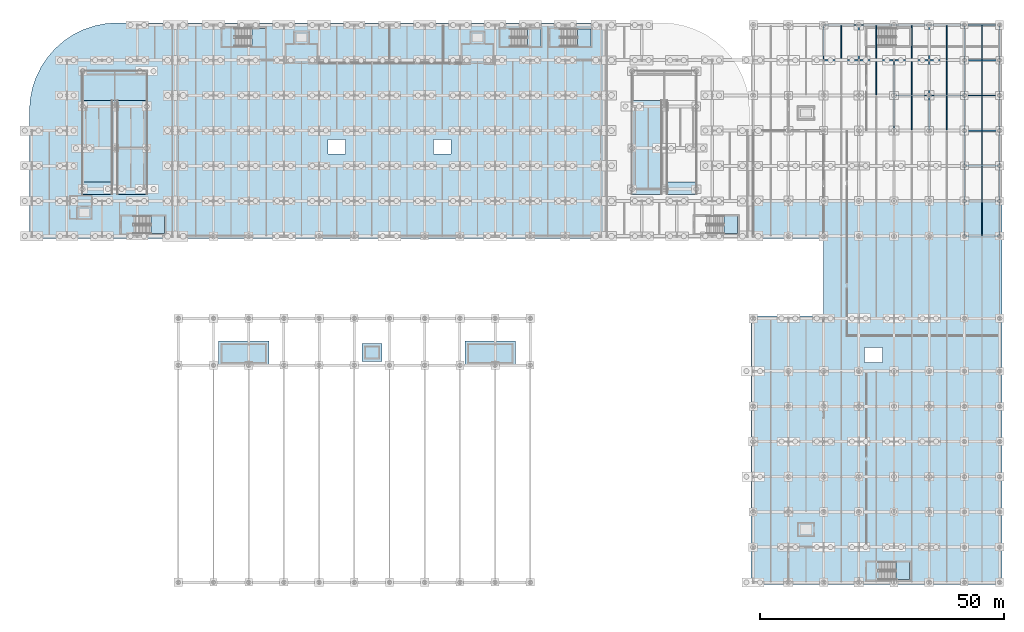
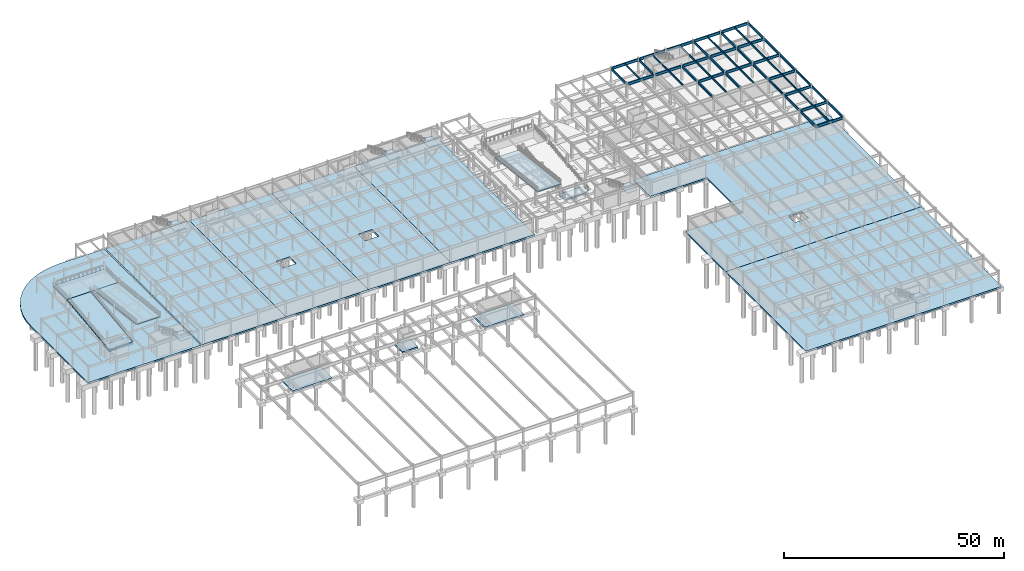
# One storey, part 36 of 54: 51 beams, 22 slabs, 6 elements without a shape of their own.
"""IFC4 building model written with IfcOpenShell, lengths in metres."""

from ifc_helpers import new_model, si_unit, direction, frame, origin, origin_2d, place, context, subcontext, project, spatial, polyline, i_section, outline, extrude, material, layer, layer_set, material_profile, profile_set, type_object, element, aggregate, save


model = new_model("IFC4")

# Units and contexts
model_context = context("Model", 3, precision=1e-05, world=origin(), true_north=direction((0.0, 1.0)))
body_context = subcontext(model_context, "Body", "Model", "MODEL_VIEW")
ifc_project = project(units=[si_unit("LENGTHUNIT", "METRE"), si_unit("AREAUNIT", "SQUARE_METRE"), si_unit("VOLUMEUNIT", "CUBIC_METRE"), si_unit("PLANEANGLEUNIT", "RADIAN"), si_unit("MASSUNIT", "GRAM", prefix="KILO")], contexts=[model_context])

# Site, building, storey
site_placement = place(None, origin())
site = spatial("IfcSite", under=ifc_project, at=site_placement, CompositionType="ELEMENT")
building_placement = place(site_placement, origin())
building = spatial("IfcBuilding", under=site, at=building_placement, Name="Vaelcorin Mobility Hub", CompositionType="ELEMENT")
storey_placement = place(building_placement, frame((0.0, 0.0, -4.5)))
storey = spatial("IfcBuildingStorey", under=building, at=storey_placement, Name="B1", CompositionType="ELEMENT", Elevation=-4.5)

# Beams
ifc_material_1 = material(Name="Steel ASTM A992 Grade 50", Category="steel")
ifc_material_profile_1 = material_profile(ifc_material_1, i_section(OverallWidth=0.166015625, OverallDepth=0.528076171875, WebThickness=0.009765625, FlangeThickness=0.013671875, FilletRadius=0.013916015625, at=origin_2d()), Name="W21X50")
ifc_profile_set_1 = profile_set([ifc_material_profile_1], Name="Steel ASTM A992 Grade 50")
beam_type_1 = type_object("IfcBeamType", Name="BM-W21X50", PredefinedType="JOIST", material=ifc_profile_set_1)
for number, where, z_axis, x_axis, name in (
    (1, (171.60009765625, 112.931884765625, 3.916015625), (0.0, 1.0, 0.0), (-1.0, 0.0, 0.0), "B1 Beam V5-B1-J-03-14-1"),
    (2, (178.800048828125, 105.73193359375, 3.916015625), (0.0, 1.0, 0.0), (-1.0, 0.0, 0.0), "B1 Beam V5-B1-J-04-13-1"),
    (3, (178.800048828125, 112.931884765625, 3.916015625), (0.0, 1.0, 0.0), (-1.0, 0.0, 0.0), "B1 Beam V5-B1-J-04-14-1"),
    (4, (186.0, 98.531982421875, 3.916015625), (0.0, 1.0, 0.0), (-1.0, 0.0, 0.0), "B1 Beam V5-B1-J-05-12-1"),
    (5, (186.0, 105.73193359375, 3.916015625), (0.0, 1.0, 0.0), (-1.0, 0.0, 0.0), "B1 Beam V5-B1-J-05-13-1"),
    (6, (186.0, 112.931884765625, 3.916015625), (0.0, 1.0, 0.0), (-1.0, 0.0, 0.0), "B1 Beam V5-B1-J-05-14-1"),
    (7, (193.199951171875, 98.531982421875, 3.916015625), (0.0, 1.0, 0.0), (-1.0, 0.0, 0.0), "B1 Beam V5-B1-J-06-12-1"),
    (8, (193.199951171875, 105.73193359375, 3.916015625), (0.0, 1.0, 0.0), (-1.0, 0.0, 0.0), "B1 Beam V5-B1-J-06-13-1"),
    (9, (193.199951171875, 112.931884765625, 3.916015625), (0.0, 1.0, 0.0), (-1.0, 0.0, 0.0), "B1 Beam V5-B1-J-06-14-1"),
    (10, (200.39990234375, 76.931884765625, 3.916015625), (0.0, 1.0, 0.0), (-1.0, 0.0, 0.0), "B1 Beam V5-B1-J-07-09-1"),
    (11, (200.39990234375, 84.132080078125, 3.916015625), (0.0, 1.0, 0.0), (-1.0, 0.0, 0.0), "B1 Beam V5-B1-J-07-10-1"),
    (12, (200.39990234375, 91.33203125, 3.916015625), (0.0, 1.0, 0.0), (-1.0, 0.0, 0.0), "B1 Beam V5-B1-J-07-11-1"),
    (13, (200.39990234375, 98.531982421875, 3.916015625), (0.0, 1.0, 0.0), (-1.0, 0.0, 0.0), "B1 Beam V5-B1-J-07-12-1"),
    (14, (200.39990234375, 105.73193359375, 3.916015625), (0.0, 1.0, 0.0), (-1.0, 0.0, 0.0), "B1 Beam V5-B1-J-07-13-1"),
    (15, (200.39990234375, 112.931884765625, 3.916015625), (0.0, 1.0, 0.0), (-1.0, 0.0, 0.0), "B1 Beam V5-B1-J-07-14-1"),
):
    element("IfcBeam", number, at=place(storey_placement, frame(where, z_axis=z_axis, x_axis=x_axis)), inside=storey, type_object=beam_type_1, Name=name, PredefinedType="JOIST", context=body_context, shape_type="SweptSolid", body=[
        extrude(i_section(OverallWidth=0.166015625, OverallDepth=0.528076171875, WebThickness=0.009765625, FlangeThickness=0.013671875, FilletRadius=0.013916015625, at=origin_2d()), origin(), (0.0, 0.0, 1.0), 6.93603515625),
    ])
ifc_material_profile_2 = material_profile(ifc_material_1, i_section(OverallWidth=0.25390625, OverallDepth=0.68310546875, WebThickness=0.012451171875, FlangeThickness=0.018798828125, FilletRadius=0.01611328125, at=origin_2d()), Name="W27X94")
ifc_profile_set_2 = profile_set([ifc_material_profile_2], Name="Steel ASTM A992 Grade 50")
beam_type_2 = type_object("IfcBeamType", Name="BM-W27X94", PredefinedType="BEAM", material=ifc_profile_set_2)
for number, where, z_axis, x_axis, name in (
    (16, (168.0, 112.9951171875, 3.837890625), (0.0, 1.0, 0.0), (-1.0, 0.0, 0.0), "B1 Beam V5-B1-GY-03-14"),
    (17, (175.199951171875, 112.9951171875, 3.837890625), (0.0, 1.0, 0.0), (-1.0, 0.0, 0.0), "B1 Beam V5-B1-GY-04-14"),
):
    element("IfcBeam", number, at=place(storey_placement, frame(where, z_axis=z_axis, x_axis=x_axis)), inside=storey, type_object=beam_type_2, Name=name, PredefinedType="BEAM", context=body_context, shape_type="SweptSolid", body=[
        extrude(i_section(OverallWidth=0.25390625, OverallDepth=0.68310546875, WebThickness=0.012451171875, FlangeThickness=0.018798828125, FilletRadius=0.01611328125, at=origin_2d()), origin(), (0.0, 0.0, 1.0), 6.809814453125),
    ])
for number, where, z_axis, x_axis, name in (
    (18, (182.39990234375, 98.594970703125, 3.837890625), (0.0, 1.0, 0.0), (-1.0, 0.0, 0.0), "B1 Beam V5-B1-GY-05-12"),
    (19, (182.39990234375, 105.794921875, 3.837890625), (0.0, 1.0, 0.0), (-1.0, 0.0, 0.0), "B1 Beam V5-B1-GY-05-13"),
    (20, (189.60009765625, 98.594970703125, 3.837890625), (0.0, 1.0, 0.0), (-1.0, 0.0, 0.0), "B1 Beam V5-B1-GY-06-12"),
    (21, (189.60009765625, 105.794921875, 3.837890625), (0.0, 1.0, 0.0), (-1.0, 0.0, 0.0), "B1 Beam V5-B1-GY-06-13"),
):
    element("IfcBeam", number, at=place(storey_placement, frame(where, z_axis=z_axis, x_axis=x_axis)), inside=storey, type_object=beam_type_2, Name=name, PredefinedType="BEAM", context=body_context, shape_type="SweptSolid", body=[
        extrude(i_section(OverallWidth=0.25390625, OverallDepth=0.68310546875, WebThickness=0.012451171875, FlangeThickness=0.018798828125, FilletRadius=0.01611328125, at=origin_2d()), origin(), (0.0, 0.0, 1.0), 6.81005859375),
    ])
for number, where, z_axis, x_axis, name in (
    (22, (189.60009765625, 112.9951171875, 3.837890625), (0.0, 1.0, 0.0), (-1.0, 0.0, 0.0), "B1 Beam V5-B1-GY-06-14"),
    (23, (196.800048828125, 76.9951171875, 3.837890625), (0.0, 1.0, 0.0), (-1.0, 0.0, 0.0), "B1 Beam V5-B1-GY-07-09"),
    (24, (196.800048828125, 84.195068359375, 3.837890625), (0.0, 1.0, 0.0), (-1.0, 0.0, 0.0), "B1 Beam V5-B1-GY-07-10"),
):
    element("IfcBeam", number, at=place(storey_placement, frame(where, z_axis=z_axis, x_axis=x_axis)), inside=storey, type_object=beam_type_2, Name=name, PredefinedType="BEAM", context=body_context, shape_type="SweptSolid", body=[
        extrude(i_section(OverallWidth=0.25390625, OverallDepth=0.68310546875, WebThickness=0.012451171875, FlangeThickness=0.018798828125, FilletRadius=0.01611328125, at=origin_2d()), origin(), (0.0, 0.0, 1.0), 6.809814453125),
    ])
for number, where, z_axis, x_axis, name in (
    (25, (196.800048828125, 91.39501953125, 3.837890625), (0.0, 1.0, 0.0), (-1.0, 0.0, 0.0), "B1 Beam V5-B1-GY-07-11"),
    (26, (196.800048828125, 98.594970703125, 3.837890625), (0.0, 1.0, 0.0), (-1.0, 0.0, 0.0), "B1 Beam V5-B1-GY-07-12"),
    (27, (196.800048828125, 105.794921875, 3.837890625), (0.0, 1.0, 0.0), (-1.0, 0.0, 0.0), "B1 Beam V5-B1-GY-07-13"),
):
    element("IfcBeam", number, at=place(storey_placement, frame(where, z_axis=z_axis, x_axis=x_axis)), inside=storey, type_object=beam_type_2, Name=name, PredefinedType="BEAM", context=body_context, shape_type="SweptSolid", body=[
        extrude(i_section(OverallWidth=0.25390625, OverallDepth=0.68310546875, WebThickness=0.012451171875, FlangeThickness=0.018798828125, FilletRadius=0.01611328125, at=origin_2d()), origin(), (0.0, 0.0, 1.0), 6.81005859375),
    ])
for number, where, z_axis, x_axis, name in (
    (28, (196.800048828125, 112.9951171875, 3.837890625), (0.0, 1.0, 0.0), (-1.0, 0.0, 0.0), "B1 Beam V5-B1-GY-07-14"),
    (29, (204.0, 76.9951171875, 3.837890625), (0.0, 1.0, 0.0), (-1.0, 0.0, 0.0), "B1 Beam V5-B1-GY-08-09"),
    (30, (204.0, 84.195068359375, 3.837890625), (0.0, 1.0, 0.0), (-1.0, 0.0, 0.0), "B1 Beam V5-B1-GY-08-10"),
):
    element("IfcBeam", number, at=place(storey_placement, frame(where, z_axis=z_axis, x_axis=x_axis)), inside=storey, type_object=beam_type_2, Name=name, PredefinedType="BEAM", context=body_context, shape_type="SweptSolid", body=[
        extrude(i_section(OverallWidth=0.25390625, OverallDepth=0.68310546875, WebThickness=0.012451171875, FlangeThickness=0.018798828125, FilletRadius=0.01611328125, at=origin_2d()), origin(), (0.0, 0.0, 1.0), 6.809814453125),
    ])
for number, where, z_axis, x_axis, name in (
    (31, (204.0, 91.39501953125, 3.837890625), (0.0, 1.0, 0.0), (-1.0, 0.0, 0.0), "B1 Beam V5-B1-GY-08-11"),
    (32, (204.0, 98.594970703125, 3.837890625), (0.0, 1.0, 0.0), (-1.0, 0.0, 0.0), "B1 Beam V5-B1-GY-08-12"),
    (33, (204.0, 105.794921875, 3.837890625), (0.0, 1.0, 0.0), (-1.0, 0.0, 0.0), "B1 Beam V5-B1-GY-08-13"),
):
    element("IfcBeam", number, at=place(storey_placement, frame(where, z_axis=z_axis, x_axis=x_axis)), inside=storey, type_object=beam_type_2, Name=name, PredefinedType="BEAM", context=body_context, shape_type="SweptSolid", body=[
        extrude(i_section(OverallWidth=0.25390625, OverallDepth=0.68310546875, WebThickness=0.012451171875, FlangeThickness=0.018798828125, FilletRadius=0.01611328125, at=origin_2d()), origin(), (0.0, 0.0, 1.0), 6.81005859375),
    ])
beam_1_placement = place(storey_placement, frame((204.0, 112.9951171875, 3.837890625), z_axis=(0.0, 1.0, 0.0), x_axis=(-1.0, 0.0, 0.0)))
element("IfcBeam", 34, at=beam_1_placement, inside=storey, type_object=beam_type_2, Name="B1 Beam V5-B1-GY-08-14", PredefinedType="BEAM", context=body_context, shape_type="SweptSolid", body=[
    extrude(i_section(OverallWidth=0.25390625, OverallDepth=0.68310546875, WebThickness=0.012451171875, FlangeThickness=0.018798828125, FilletRadius=0.01611328125, at=origin_2d()), origin(), (0.0, 0.0, 1.0), 6.809814453125),
])
ifc_material_profile_3 = material_profile(ifc_material_1, i_section(OverallWidth=0.26708984375, OverallDepth=0.757080078125, WebThickness=0.013916015625, FlangeThickness=0.019287109375, FilletRadius=0.01708984375, at=origin_2d()), Name="W30X108")
ifc_profile_set_3 = profile_set([ifc_material_profile_3], Name="Steel ASTM A992 Grade 50")
beam_type_3 = type_object("IfcBeamType", Name="BM-W30X108", PredefinedType="BEAM", material=ifc_profile_set_3)
for number, where, z_axis, x_axis, name in (
    (35, (196.998046875, 76.800048828125, 3.802001953125), (1.0, 0.0, 0.0), (0.0, 1.0, 0.0), "B1 Beam V5-B1-GX-09-07"),
    (36, (196.998046875, 84.0, 3.802001953125), (1.0, 0.0, 0.0), (0.0, 1.0, 0.0), "B1 Beam V5-B1-GX-10-07"),
    (37, (196.998046875, 91.199951171875, 3.802001953125), (1.0, 0.0, 0.0), (0.0, 1.0, 0.0), "B1 Beam V5-B1-GX-11-07"),
    (38, (196.998046875, 98.39990234375, 3.802001953125), (1.0, 0.0, 0.0), (0.0, 1.0, 0.0), "B1 Beam V5-B1-GX-12-07"),
):
    element("IfcBeam", number, at=place(storey_placement, frame(where, z_axis=z_axis, x_axis=x_axis)), inside=storey, type_object=beam_type_3, Name=name, PredefinedType="BEAM", context=body_context, shape_type="SweptSolid", body=[
        extrude(i_section(OverallWidth=0.26708984375, OverallDepth=0.757080078125, WebThickness=0.013916015625, FlangeThickness=0.019287109375, FilletRadius=0.01708984375, at=origin_2d()), origin(), (0.0, 0.0, 1.0), 6.803955078125),
    ])
beam_2_placement = place(storey_placement, frame((182.597900390625, 105.60009765625, 3.802001953125), z_axis=(1.0, 0.0, 0.0), x_axis=(0.0, 1.0, 0.0)))
element("IfcBeam", 39, at=beam_2_placement, inside=storey, type_object=beam_type_3, Name="B1 Beam V5-B1-GX-13-05", PredefinedType="BEAM", context=body_context, shape_type="SweptSolid", body=[
    extrude(i_section(OverallWidth=0.26708984375, OverallDepth=0.757080078125, WebThickness=0.013916015625, FlangeThickness=0.019287109375, FilletRadius=0.01708984375, at=origin_2d()), origin(), (0.0, 0.0, 1.0), 6.80419921875),
])
beam_3_placement = place(storey_placement, frame((189.797119140625, 105.60009765625, 3.802001953125), z_axis=(1.0, 0.0, 0.0), x_axis=(0.0, 1.0, 0.0)))
element("IfcBeam", 40, at=beam_3_placement, inside=storey, type_object=beam_type_3, Name="B1 Beam V5-B1-GX-13-06", PredefinedType="BEAM", context=body_context, shape_type="SweptSolid", body=[
    extrude(i_section(OverallWidth=0.26708984375, OverallDepth=0.757080078125, WebThickness=0.013916015625, FlangeThickness=0.019287109375, FilletRadius=0.01708984375, at=origin_2d()), origin(), (0.0, 0.0, 1.0), 6.805908203125),
])
for number, where, z_axis, x_axis, name in (
    (41, (196.998046875, 105.60009765625, 3.802001953125), (1.0, 0.0, 0.0), (0.0, 1.0, 0.0), "B1 Beam V5-B1-GX-13-07"),
    (42, (168.197998046875, 112.800048828125, 3.802001953125), (1.0, 0.0, 0.0), (0.0, 1.0, 0.0), "B1 Beam V5-B1-GX-14-03"),
):
    element("IfcBeam", number, at=place(storey_placement, frame(where, z_axis=z_axis, x_axis=x_axis)), inside=storey, type_object=beam_type_3, Name=name, PredefinedType="BEAM", context=body_context, shape_type="SweptSolid", body=[
        extrude(i_section(OverallWidth=0.26708984375, OverallDepth=0.757080078125, WebThickness=0.013916015625, FlangeThickness=0.019287109375, FilletRadius=0.01708984375, at=origin_2d()), origin(), (0.0, 0.0, 1.0), 6.803955078125),
    ])
beam_4_placement = place(storey_placement, frame((175.39697265625, 112.800048828125, 3.802001953125), z_axis=(1.0, 0.0, 0.0), x_axis=(0.0, 1.0, 0.0)))
element("IfcBeam", 43, at=beam_4_placement, inside=storey, type_object=beam_type_3, Name="B1 Beam V5-B1-GX-14-04", PredefinedType="BEAM", context=body_context, shape_type="SweptSolid", body=[
    extrude(i_section(OverallWidth=0.26708984375, OverallDepth=0.757080078125, WebThickness=0.013916015625, FlangeThickness=0.019287109375, FilletRadius=0.01708984375, at=origin_2d()), origin(), (0.0, 0.0, 1.0), 6.805908203125),
])
beam_5_placement = place(storey_placement, frame((182.597900390625, 112.800048828125, 3.802001953125), z_axis=(1.0, 0.0, 0.0), x_axis=(0.0, 1.0, 0.0)))
element("IfcBeam", 44, at=beam_5_placement, inside=storey, type_object=beam_type_3, Name="B1 Beam V5-B1-GX-14-05", PredefinedType="BEAM", context=body_context, shape_type="SweptSolid", body=[
    extrude(i_section(OverallWidth=0.26708984375, OverallDepth=0.757080078125, WebThickness=0.013916015625, FlangeThickness=0.019287109375, FilletRadius=0.01708984375, at=origin_2d()), origin(), (0.0, 0.0, 1.0), 6.80419921875),
])
beam_6_placement = place(storey_placement, frame((189.797119140625, 112.800048828125, 3.802001953125), z_axis=(1.0, 0.0, 0.0), x_axis=(0.0, 1.0, 0.0)))
element("IfcBeam", 45, at=beam_6_placement, inside=storey, type_object=beam_type_3, Name="B1 Beam V5-B1-GX-14-06", PredefinedType="BEAM", context=body_context, shape_type="SweptSolid", body=[
    extrude(i_section(OverallWidth=0.26708984375, OverallDepth=0.757080078125, WebThickness=0.013916015625, FlangeThickness=0.019287109375, FilletRadius=0.01708984375, at=origin_2d()), origin(), (0.0, 0.0, 1.0), 6.805908203125),
])
for number, where, z_axis, x_axis, name in (
    (46, (196.998046875, 112.800048828125, 3.802001953125), (1.0, 0.0, 0.0), (0.0, 1.0, 0.0), "B1 Beam V5-B1-GX-14-07"),
    (47, (168.197998046875, 120.0, 3.802001953125), (1.0, 0.0, 0.0), (0.0, 1.0, 0.0), "B1 Beam V5-B1-GX-15-03"),
):
    element("IfcBeam", number, at=place(storey_placement, frame(where, z_axis=z_axis, x_axis=x_axis)), inside=storey, type_object=beam_type_3, Name=name, PredefinedType="BEAM", context=body_context, shape_type="SweptSolid", body=[
        extrude(i_section(OverallWidth=0.26708984375, OverallDepth=0.757080078125, WebThickness=0.013916015625, FlangeThickness=0.019287109375, FilletRadius=0.01708984375, at=origin_2d()), origin(), (0.0, 0.0, 1.0), 6.803955078125),
    ])
beam_7_placement = place(storey_placement, frame((175.39697265625, 120.0, 3.802001953125), z_axis=(1.0, 0.0, 0.0), x_axis=(0.0, 1.0, 0.0)))
element("IfcBeam", 48, at=beam_7_placement, inside=storey, type_object=beam_type_3, Name="B1 Beam V5-B1-GX-15-04", PredefinedType="BEAM", context=body_context, shape_type="SweptSolid", body=[
    extrude(i_section(OverallWidth=0.26708984375, OverallDepth=0.757080078125, WebThickness=0.013916015625, FlangeThickness=0.019287109375, FilletRadius=0.01708984375, at=origin_2d()), origin(), (0.0, 0.0, 1.0), 6.805908203125),
])
beam_8_placement = place(storey_placement, frame((182.597900390625, 120.0, 3.802001953125), z_axis=(1.0, 0.0, 0.0), x_axis=(0.0, 1.0, 0.0)))
element("IfcBeam", 49, at=beam_8_placement, inside=storey, type_object=beam_type_3, Name="B1 Beam V5-B1-GX-15-05", PredefinedType="BEAM", context=body_context, shape_type="SweptSolid", body=[
    extrude(i_section(OverallWidth=0.26708984375, OverallDepth=0.757080078125, WebThickness=0.013916015625, FlangeThickness=0.019287109375, FilletRadius=0.01708984375, at=origin_2d()), origin(), (0.0, 0.0, 1.0), 6.80419921875),
])
beam_9_placement = place(storey_placement, frame((189.797119140625, 120.0, 3.802001953125), z_axis=(1.0, 0.0, 0.0), x_axis=(0.0, 1.0, 0.0)))
element("IfcBeam", 50, at=beam_9_placement, inside=storey, type_object=beam_type_3, Name="B1 Beam V5-B1-GX-15-06", PredefinedType="BEAM", context=body_context, shape_type="SweptSolid", body=[
    extrude(i_section(OverallWidth=0.26708984375, OverallDepth=0.757080078125, WebThickness=0.013916015625, FlangeThickness=0.019287109375, FilletRadius=0.01708984375, at=origin_2d()), origin(), (0.0, 0.0, 1.0), 6.805908203125),
])
beam_10_placement = place(storey_placement, frame((196.998046875, 120.0, 3.802001953125), z_axis=(1.0, 0.0, 0.0), x_axis=(0.0, 1.0, 0.0)))
element("IfcBeam", 51, at=beam_10_placement, inside=storey, type_object=beam_type_3, Name="B1 Beam V5-B1-GX-15-07", PredefinedType="BEAM", context=body_context, shape_type="SweptSolid", body=[
    extrude(i_section(OverallWidth=0.26708984375, OverallDepth=0.757080078125, WebThickness=0.013916015625, FlangeThickness=0.019287109375, FilletRadius=0.01708984375, at=origin_2d()), origin(), (0.0, 0.0, 1.0), 6.803955078125),
])

# Slabs
ifc_material_2 = material(Name="Concrete f'c 35 MPa", Category="concrete")
ifc_layer_1 = layer(ifc_material_2, 0.449951171875)
ifc_layer_set_1 = layer_set([ifc_layer_1], Name="Concrete f'c 35 MPa")
slab_type_1 = type_object("IfcSlabType", Name="SLAB-B1", PredefinedType="BASESLAB", material=ifc_layer_set_1)
slab_1_placement = place(storey_placement, frame((0.0, 0.0, -0.449951171875)))
element("IfcSlab", 52, at=slab_1_placement, inside=storey, type_object=slab_type_1, Name="B1 V2W Ramp Transition Deck SL-V2W-B1", PredefinedType="BASESLAB", context=body_context, shape_type="SweptSolid", body=[
    extrude(outline(polyline([(5.550048828125, 102.449951171875), (5.7041015625, 104.799072265625), (6.1630859375, 107.10888671875), (6.919921875, 109.337890625), (7.9619140625, 111.449951171875), (9.27001953125, 113.407958984375), (10.822021484375, 115.177978515625), (12.592041015625, 116.72998046875), (14.550048828125, 118.0380859375), (16.662109375, 119.080078125), (18.89111328125, 119.8369140625), (21.200927734375, 120.2958984375), (23.550048828125, 120.449951171875), (35.25, 120.449951171875), (35.25, 76.35009765625), (5.550048828125, 76.35009765625), (5.550048828125, 102.449951171875)]), holes=[polyline([(22.5400390625, 87.919921875), (16.260009765625, 87.919921875), (16.260009765625, 85.320068359375), (22.5400390625, 85.320068359375), (22.5400390625, 87.919921875)])]), origin(), (0.0, 0.0, 1.0), 0.449951171875),
])
slab_2_placement = place(storey_placement, frame((0.0, 0.0, -0.449951171875)))
element("IfcSlab", 53, at=slab_2_placement, inside=storey, type_object=slab_type_1, Name="B1 EV Mobility Deck SL-V4-B1-Q1", PredefinedType="BASESLAB", context=body_context, shape_type="SweptSolid", body=[
    extrude(outline(polyline([(35.550048828125, 120.449951171875), (57.60009765625, 120.449951171875), (57.60009765625, 76.35009765625), (35.550048828125, 76.35009765625), (35.550048828125, 120.449951171875)])), origin(), (0.0, 0.0, 1.0), 0.449951171875),
])
slab_3_placement = place(storey_placement, frame((0.0, 0.0, -0.449951171875)))
element("IfcSlab", 54, at=slab_3_placement, inside=storey, type_object=slab_type_1, Name="B1 EV Mobility Deck SL-V4-B1-Q2", PredefinedType="BASESLAB", context=body_context, shape_type="SweptSolid", body=[
    extrude(outline(polyline([(57.60009765625, 120.449951171875), (79.199951171875, 120.449951171875), (79.199951171875, 76.35009765625), (57.60009765625, 76.35009765625), (57.60009765625, 120.449951171875)]), holes=[polyline([(70.199951171875, 93.60009765625), (70.199951171875, 96.60009765625), (66.60009765625, 96.60009765625), (66.60009765625, 93.60009765625), (70.199951171875, 93.60009765625)])]), origin(), (0.0, 0.0, 1.0), 0.449951171875),
])
slab_4_placement = place(storey_placement, frame((0.0, 0.0, -0.449951171875)))
element("IfcSlab", 55, at=slab_4_placement, inside=storey, type_object=slab_type_1, Name="B1 EV Mobility Deck SL-V4-B1-Q3", PredefinedType="BASESLAB", context=body_context, shape_type="SweptSolid", body=[
    extrude(outline(polyline([(79.199951171875, 120.449951171875), (100.800048828125, 120.449951171875), (100.800048828125, 76.35009765625), (79.199951171875, 76.35009765625), (79.199951171875, 120.449951171875)]), holes=[polyline([(91.800048828125, 93.60009765625), (91.800048828125, 96.60009765625), (88.199951171875, 96.60009765625), (88.199951171875, 93.60009765625), (91.800048828125, 93.60009765625)])]), origin(), (0.0, 0.0, 1.0), 0.449951171875),
])
slab_5_placement = place(storey_placement, frame((0.0, 0.0, -0.449951171875)))
element("IfcSlab", 56, at=slab_5_placement, inside=storey, type_object=slab_type_1, Name="B1 EV Mobility Deck SL-V4-B1-Q4", PredefinedType="BASESLAB", context=body_context, shape_type="SweptSolid", body=[
    extrude(outline(polyline([(100.800048828125, 120.449951171875), (122.85009765625, 120.449951171875), (122.85009765625, 76.35009765625), (100.800048828125, 76.35009765625), (100.800048828125, 120.449951171875)])), origin(), (0.0, 0.0, 1.0), 0.449951171875),
])
slab_6_placement = place(storey_placement, frame((0.0, 0.0, -0.449951171875)))
element("IfcSlab", 57, at=slab_6_placement, inside=storey, type_object=slab_type_1, Name="B1 Mobility Workshop Floor SL-V5-B1-S", PredefinedType="BASESLAB", context=body_context, shape_type="SweptSolid", body=[
    extrude(outline(polyline([(153.14990234375, 5.550048828125), (153.14990234375, 42.0), (204.449951171875, 42.0), (204.449951171875, 5.550048828125), (153.14990234375, 5.550048828125)])), origin(), (0.0, 0.0, 1.0), 0.449951171875),
])
slab_7_placement = place(storey_placement, frame((0.0, 0.0, -0.449951171875)))
element("IfcSlab", 58, at=slab_7_placement, inside=storey, type_object=slab_type_1, Name="B1 Mobility Workshop Floor SL-V5-B1-M", PredefinedType="BASESLAB", context=body_context, shape_type="SweptSolid", body=[
    extrude(outline(polyline([(153.14990234375, 42.0), (153.14990234375, 60.449951171875), (168.0, 60.449951171875), (168.0, 76.35009765625), (153.14990234375, 76.35009765625), (153.14990234375, 84.0), (204.449951171875, 84.0), (204.449951171875, 42.0), (153.14990234375, 42.0)]), holes=[polyline([(180.0, 54.0), (176.39990234375, 54.0), (176.39990234375, 51.0), (180.0, 51.0), (180.0, 54.0)])]), origin(), (0.0, 0.0, 1.0), 0.449951171875),
])
slab_8_placement = place(storey_placement, frame((0.0, 0.0, -0.75)))
element("IfcSlab", 59, at=slab_8_placement, inside=storey, type_object=slab_type_1, Name="Vehicle Ramp VR-1 B1 Recessed Toe Foundation Slab", PredefinedType="BASESLAB", context=body_context, shape_type="SweptSolid", body=[
    extrude(outline(polyline([(16.31005859375, 85.340087890625), (22.489990234375, 85.340087890625), (22.489990234375, 87.89990234375), (16.31005859375, 87.89990234375), (16.31005859375, 85.340087890625)])), origin(), (0.0, 0.0, 1.0), 0.469970703125),
])
slab_9_placement = place(storey_placement, frame((0.0, 0.0, -0.75)))
element("IfcSlab", 60, at=slab_9_placement, inside=storey, type_object=slab_type_1, Name="Vehicle Ramp VR-2 B1 Recessed Toe Foundation Slab", PredefinedType="BASESLAB", context=body_context, shape_type="SweptSolid", body=[
    extrude(outline(polyline([(135.909912109375, 85.340087890625), (142.090087890625, 85.340087890625), (142.090087890625, 87.89990234375), (135.909912109375, 87.89990234375), (135.909912109375, 85.340087890625)])), origin(), (0.0, 0.0, 1.0), 0.469970703125),
])
slab_10_placement = place(storey_placement, frame((0.0, 0.0, -0.449951171875)))
element("IfcSlab", 61, at=slab_10_placement, inside=storey, type_object=slab_type_1, Name="ST7 Core Foundation Base Slab B1", PredefinedType="BASESLAB", context=body_context, shape_type="SweptSolid", body=[
    extrude(outline(polyline([(44.25, 50.25), (54.550048828125, 50.25), (54.550048828125, 55.389892578125), (44.25, 55.389892578125), (44.25, 50.25)])), origin(), (0.0, 0.0, 1.0), 0.449951171875),
])
slab_11_placement = place(storey_placement, frame((0.0, 0.0, -0.449951171875)))
element("IfcSlab", 62, at=slab_11_placement, inside=storey, type_object=slab_type_1, Name="ST8 Core Foundation Base Slab B1", PredefinedType="BASESLAB", context=body_context, shape_type="SweptSolid", body=[
    extrude(outline(polyline([(94.64990234375, 50.25), (104.949951171875, 50.25), (104.949951171875, 55.389892578125), (94.64990234375, 55.389892578125), (94.64990234375, 50.25)])), origin(), (0.0, 0.0, 1.0), 0.449951171875),
])
slab_12_placement = place(storey_placement, frame((0.0, 0.0, -0.449951171875)))
element("IfcSlab", 63, at=slab_12_placement, inside=storey, type_object=slab_type_1, Name="LF3 Lift Pit Foundation Base Slab B1", PredefinedType="BASESLAB", context=body_context, shape_type="SweptSolid", body=[
    extrude(outline(polyline([(73.56005859375, 51.159912109375), (77.639892578125, 51.159912109375), (77.639892578125, 54.840087890625), (73.56005859375, 54.840087890625), (73.56005859375, 51.159912109375)])), origin(), (0.0, 0.0, 1.0), 0.449951171875),
])

# Stair, slab
ifc_material_3 = material(Name="Reinforced concrete f'c 45 MPa", Category="concrete")
stair_type_1 = type_object("IfcStairType", Name="STAIR-ST1", PredefinedType="HALF_TURN_STAIR", material=ifc_material_3)
stair_1_placement = place(storey_placement, origin())
stair_1 = element("IfcStair", 64, at=stair_1_placement, inside=storey, type_object=stair_type_1, Name="B1 Protected Exit Stair ST1", PredefinedType="HALF_TURN_STAIR")
ifc_layer_2 = layer(ifc_material_3, 0.199951171875)
ifc_layer_set_2 = layer_set([ifc_layer_2], Name="Reinforced concrete f'c 45 MPa")
slab_type_2 = type_object("IfcSlabType", Name="SLAB-LND-200", PredefinedType="LANDING", material=ifc_layer_set_2)
slab_13_placement = place(storey_placement, frame((0.0, 0.0, 2.050048828125)))
slab_13 = element("IfcSlab", 65, at=slab_13_placement, type_object=slab_type_2, Name="ST1 landing 1", PredefinedType="LANDING", context=body_context, shape_type="SweptSolid", body=[
    extrude(outline(polyline([(30.449951171875, 77.35009765625), (33.199951171875, 77.35009765625), (33.199951171875, 80.909912109375), (30.449951171875, 80.909912109375), (30.449951171875, 77.35009765625)])), origin(), (0.0, 0.0, 1.0), 0.199951171875),
])
aggregate(stair_1, [slab_13])

stair_type_2 = type_object("IfcStairType", Name="STAIR-ST2", PredefinedType="HALF_TURN_STAIR", material=ifc_material_3)
stair_2_placement = place(storey_placement, origin())
stair_2 = element("IfcStair", 66, at=stair_2_placement, inside=storey, type_object=stair_type_2, Name="B1 Protected Exit Stair ST2", PredefinedType="HALF_TURN_STAIR")
slab_14_placement = place(storey_placement, frame((0.0, 0.0, 2.050048828125)))
slab_14 = element("IfcSlab", 67, at=slab_14_placement, type_object=slab_type_2, Name="ST2 landing 1", PredefinedType="LANDING", context=body_context, shape_type="SweptSolid", body=[
    extrude(outline(polyline([(147.64990234375, 77.35009765625), (150.39990234375, 77.35009765625), (150.39990234375, 80.909912109375), (147.64990234375, 80.909912109375), (147.64990234375, 77.35009765625)])), origin(), (0.0, 0.0, 1.0), 0.199951171875),
])
aggregate(stair_2, [slab_14])

stair_type_3 = type_object("IfcStairType", Name="STAIR-ST3", PredefinedType="HALF_TURN_STAIR", material=ifc_material_3)
stair_3_placement = place(storey_placement, origin())
stair_3 = element("IfcStair", 68, at=stair_3_placement, inside=storey, type_object=stair_type_3, Name="B1 Protected Exit Stair ST3", PredefinedType="HALF_TURN_STAIR")
slab_15_placement = place(storey_placement, frame((0.0, 0.0, 2.050048828125)))
slab_15 = element("IfcSlab", 69, at=slab_15_placement, type_object=slab_type_2, Name="ST3 landing 1", PredefinedType="LANDING", context=body_context, shape_type="SweptSolid", body=[
    extrude(outline(polyline([(51.050048828125, 115.64990234375), (53.800048828125, 115.64990234375), (53.800048828125, 119.330078125), (51.050048828125, 119.330078125), (51.050048828125, 115.64990234375)])), origin(), (0.0, 0.0, 1.0), 0.199951171875),
])
aggregate(stair_3, [slab_15])

stair_type_4 = type_object("IfcStairType", Name="STAIR-ST4", PredefinedType="HALF_TURN_STAIR", material=ifc_material_3)
stair_4_placement = place(storey_placement, origin())
stair_4 = element("IfcStair", 70, at=stair_4_placement, inside=storey, type_object=stair_type_4, Name="B1 Protected Exit Stair ST4", PredefinedType="HALF_TURN_STAIR")
slab_16_placement = place(storey_placement, frame((0.0, 0.0, 2.050048828125)))
slab_16 = element("IfcSlab", 71, at=slab_16_placement, type_object=slab_type_2, Name="ST4 landing 1", PredefinedType="LANDING", context=body_context, shape_type="SweptSolid", body=[
    extrude(outline(polyline([(107.449951171875, 115.64990234375), (110.199951171875, 115.64990234375), (110.199951171875, 119.2099609375), (107.449951171875, 119.2099609375), (107.449951171875, 115.64990234375)])), origin(), (0.0, 0.0, 1.0), 0.199951171875),
])
aggregate(stair_4, [slab_16])

stair_type_5 = type_object("IfcStairType", Name="STAIR-ST5", PredefinedType="HALF_TURN_STAIR", material=ifc_material_3)
stair_5_placement = place(storey_placement, origin())
stair_5 = element("IfcStair", 72, at=stair_5_placement, inside=storey, type_object=stair_type_5, Name="B1 Protected Exit Stair ST5", PredefinedType="HALF_TURN_STAIR")
slab_17_placement = place(storey_placement, frame((0.0, 0.0, 2.050048828125)))
slab_17 = element("IfcSlab", 73, at=slab_17_placement, type_object=slab_type_2, Name="ST5 landing 1", PredefinedType="LANDING", context=body_context, shape_type="SweptSolid", body=[
    extrude(outline(polyline([(182.85009765625, 6.550048828125), (185.60009765625, 6.550048828125), (185.60009765625, 10.14990234375), (182.85009765625, 10.14990234375), (182.85009765625, 6.550048828125)])), origin(), (0.0, 0.0, 1.0), 0.199951171875),
])
aggregate(stair_5, [slab_17])

stair_type_6 = type_object("IfcStairType", Name="STAIR-ST9", PredefinedType="HALF_TURN_STAIR", material=ifc_material_3)
stair_6_placement = place(storey_placement, origin())
stair_6 = element("IfcStair", 74, at=stair_6_placement, inside=storey, type_object=stair_type_6, Name="B1 Protected Exit Stair ST9", PredefinedType="HALF_TURN_STAIR")
slab_18_placement = place(storey_placement, frame((0.0, 0.0, 2.050048828125)))
slab_18 = element("IfcSlab", 75, at=slab_18_placement, type_object=slab_type_2, Name="ST9 landing 1", PredefinedType="LANDING", context=body_context, shape_type="SweptSolid", body=[
    extrude(outline(polyline([(117.699951171875, 115.64990234375), (120.449951171875, 115.64990234375), (120.449951171875, 119.2099609375), (117.699951171875, 119.2099609375), (117.699951171875, 115.64990234375)])), origin(), (0.0, 0.0, 1.0), 0.199951171875),
])
aggregate(stair_6, [slab_18])

# Slabs
ifc_layer_3 = layer(ifc_material_2, 0.25)
ifc_layer_set_3 = layer_set([ifc_layer_3], Name="Concrete f'c 35 MPa")
slab_type_3 = type_object("IfcSlabType", Name="SLAB-RMP", PredefinedType="FLOOR", material=ifc_layer_set_3)
slab_19_placement = place(storey_placement, frame((0.0, 0.0, 1.969970703125)))
element("IfcSlab", 76, at=slab_19_placement, inside=storey, type_object=slab_type_3, Name="Vehicle Ramp VR-1 B1 Half-Turn Landing", PredefinedType="LANDING", context=body_context, shape_type="SweptSolid", body=[
    extrude(outline(polyline([(16.25, 104.56005859375), (29.75, 104.56005859375), (29.75, 110.75), (16.25, 110.75), (16.25, 104.56005859375)])), origin(), (0.0, 0.0, 1.0), 0.280029296875),
])
ifc_layer_4 = layer(ifc_material_2, 0.280029296875)
ifc_layer_set_4 = layer_set([ifc_layer_4], Name="Concrete f'c 35 MPa")
slab_type_4 = type_object("IfcSlabType", Name="SLAB-RMP-VR1", PredefinedType="FLOOR", material=ifc_layer_set_4)
for number, where, z_axis, x_axis, name in (
    (77, (16.300048828125, 85.360107421875, 0.0), (0.0, -0.116511161366, 0.993189382382), (1.0, 0.0, 0.0), "Vehicle Ramp VR-1 Slab B1 Flight 1"),
    (78, (23.5, 85.360107421875, 4.5), (0.0, 0.116511161366, 0.993189382382), (1.0, 0.0, 0.0), "Vehicle Ramp VR-1 Slab B1 Flight 2"),
):
    element("IfcSlab", number, at=place(storey_placement, frame(where, z_axis=z_axis, x_axis=x_axis)), inside=storey, type_object=slab_type_4, Name=name, PredefinedType="FLOOR", context=body_context, shape_type="SweptSolid", body=[
        extrude(outline(polyline([(0.0, 0.0), (6.199951171875, 0.0), (6.199951171875, 19.31145457336262), (0.0, 19.31145457336262), (0.0, 0.0)])), origin(), (0.0, 0.0, -1.0), 0.280029296875),
    ])
ifc_layer_5 = layer(ifc_material_2, 0.280029296875)
ifc_layer_set_5 = layer_set([ifc_layer_5], Name="Concrete f'c 35 MPa")
slab_type_5 = type_object("IfcSlabType", Name="SLAB-RMP-VR2", PredefinedType="FLOOR", material=ifc_layer_set_5)
slab_20_placement = place(storey_placement, frame((128.699951171875, 85.360107421875, 4.5), z_axis=(0.0, 0.116511161366, 0.993189382382), x_axis=(1.0, 0.0, 0.0)))
element("IfcSlab", 79, at=slab_20_placement, inside=storey, type_object=slab_type_5, Name="Vehicle Ramp VR-2 Slab B1 Flight 2", PredefinedType="FLOOR", context=body_context, shape_type="SweptSolid", body=[
    extrude(outline(polyline([(0.0, 0.0), (6.199951171875, 0.0), (6.199951171875, 19.31145457336262), (0.0, 19.31145457336262), (0.0, 0.0)])), origin(), (0.0, 0.0, -1.0), 0.280029296875),
])

save(model, "model.ifc")
